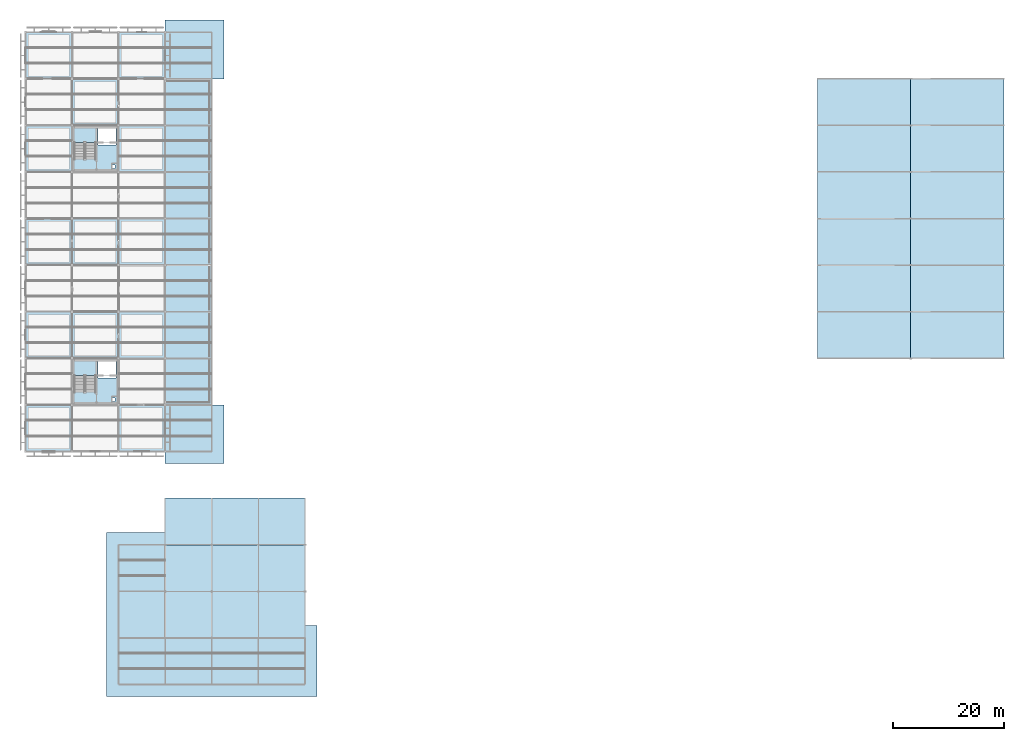
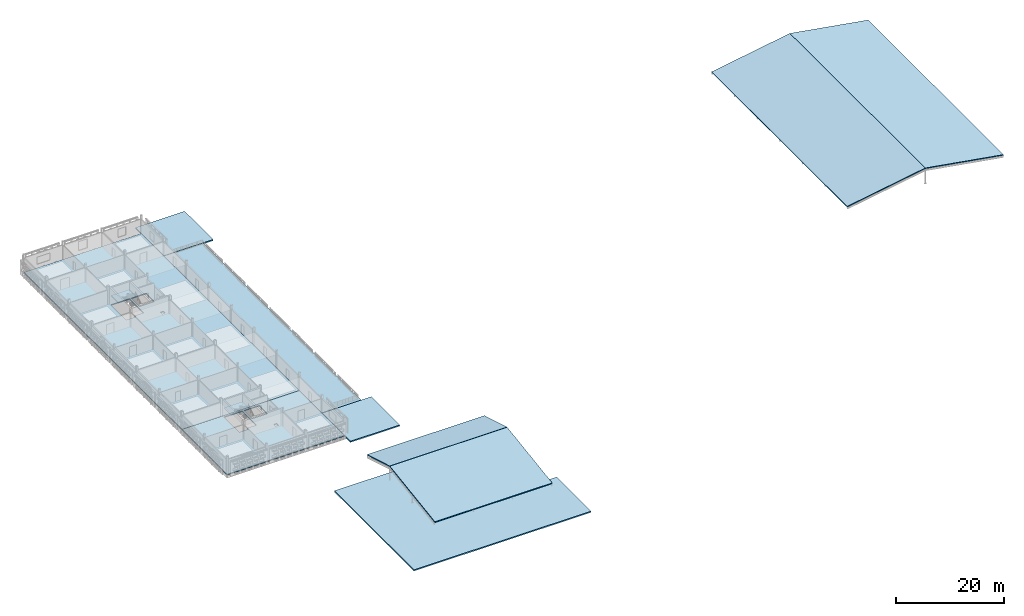
# One storey, part 15 of 31: 12 slabs, 2 elements without a shape of their own.
"""IFC4 building model written with IfcOpenShell, lengths in metres."""

from ifc_helpers import new_model, si_unit, direction, frame, origin, place, context, subcontext, project, spatial, polyline, outline, extrude, material, layer, layer_set, type_object, element, aggregate, save


model = new_model("IFC4")

# Units and contexts
model_context = context("Model", 3, precision=1e-05, world=origin(), true_north=direction((0.0, 1.0)))
body_context = subcontext(model_context, "Body", "Model", "MODEL_VIEW")
ifc_project = project(units=[si_unit("LENGTHUNIT", "METRE"), si_unit("AREAUNIT", "SQUARE_METRE"), si_unit("VOLUMEUNIT", "CUBIC_METRE"), si_unit("PLANEANGLEUNIT", "RADIAN"), si_unit("MASSUNIT", "GRAM", prefix="KILO")], contexts=[model_context])

# Site, building, storey
site_placement = place(None, origin())
site = spatial("IfcSite", under=ifc_project, at=site_placement, CompositionType="ELEMENT")
building_placement = place(site_placement, origin())
building = spatial("IfcBuilding", under=site, at=building_placement, Name="Varnapada Polytechnic", CompositionType="ELEMENT")
storey_placement = place(building_placement, frame((0.0, 0.0, 22.199951171875)))
storey = spatial("IfcBuildingStorey", under=building, at=storey_placement, Name="L05", CompositionType="ELEMENT", Elevation=22.199951171875)

# Slabs
ifc_material_1 = material(Name="Concrete C40/50", Category="concrete")
ifc_layer_1 = layer(ifc_material_1, 0.199951171875)
ifc_layer_set_1 = layer_set([ifc_layer_1], Name="Concrete C40/50")
slab_type_1 = type_object("IfcSlabType", Name="Folded Postmodern lecture pavilion gable roof slab RS-02", PredefinedType="ROOF", material=ifc_layer_set_1)
slab_1_placement = place(storey_placement, frame((25.199951171875, 16.800048828125, 0.77001953125), z_axis=(0.0, -0.145627840959, 0.989339442223), x_axis=(1.0, 0.0, 0.0)))
element("IfcSlab", 1, at=slab_1_placement, inside=storey, type_object=slab_type_1, Name="Lecture pavilion south folded gable roof slab", PredefinedType="ROOF", context=body_context, shape_type="SweptSolid", body=[
    extrude(outline(polyline([(0.0, 0.0), (25.199951171875, 0.0), (25.199951171875, 16.96084132577978), (0.0, 16.96084132577978), (0.0, 0.0)])), origin(), (0.0, 0.0, -1.0), 0.199951171875),
])
slab_2_placement = place(storey_placement, frame((50.39990234375, 42.0, 0.77001953125), z_axis=(0.0, 0.282724563106, 0.959201137101), x_axis=(-1.0, 0.0, 0.0)))
element("IfcSlab", 2, at=slab_2_placement, inside=storey, type_object=slab_type_1, Name="Lecture pavilion north folded gable roof slab", PredefinedType="ROOF", context=body_context, shape_type="SweptSolid", body=[
    extrude(outline(polyline([(0.0, 0.0), (25.199951171875, 0.0), (25.199951171875, 8.736314510451688), (0.0, 8.736314510451688), (0.0, 0.0)])), origin(), (0.0, 0.0, -1.0), 0.199951171875),
])
ifc_material_2 = material(Name="Cross-laminated timber CLT C24", Category="wood")
ifc_layer_2 = layer(ifc_material_2, 0.219970703125)
ifc_layer_set_2 = layer_set([ifc_layer_2], Name="Cross-laminated timber CLT C24")
slab_type_2 = type_object("IfcSlabType", Name="L04..L06 design studio CLT slab SL-08", PredefinedType="FLOOR", material=ifc_layer_set_2)
slab_3_placement = place(storey_placement, frame((0.0, 0.0, -0.219970703125)))
element("IfcSlab", 3, at=slab_3_placement, inside=storey, type_object=slab_type_2, Name="L05 V4 slab 1.1", PredefinedType="FLOOR", context=body_context, shape_type="SweptSolid", body=[
    extrude(outline(polyline([(0.0, 58.800048828125), (0.0, 67.199951171875), (8.39990234375, 67.199951171875), (16.800048828125, 67.199951171875), (25.199951171875, 67.199951171875), (25.199951171875, 58.800048828125), (25.199951171875, 50.39990234375), (16.800048828125, 50.39990234375), (8.39990234375, 50.39990234375), (0.0, 50.39990234375), (0.0, 58.800048828125)]), holes=[polyline([(8.800048828125, 61.110107421875), (10.75, 61.110107421875), (10.75, 61.510009765625), (12.699951171875, 61.510009765625), (12.699951171875, 66.800048828125), (8.800048828125, 66.800048828125), (8.800048828125, 61.110107421875)]), polyline([(13.10009765625, 63.699951171875), (16.300048828125, 63.699951171875), (16.300048828125, 66.75), (13.10009765625, 66.75), (13.10009765625, 63.699951171875)]), polyline([(15.550048828125, 59.419921875), (16.199951171875, 59.419921875), (16.199951171875, 60.070068359375), (15.550048828125, 60.070068359375), (15.550048828125, 59.419921875)])]), origin(), (0.0, 0.0, 1.0), 0.219970703125),
])
slab_4_placement = place(storey_placement, frame((0.0, 0.0, -0.219970703125)))
element("IfcSlab", 4, at=slab_4_placement, inside=storey, type_object=slab_type_2, Name="L05 V4 slab 2.1", PredefinedType="FLOOR", context=body_context, shape_type="SweptSolid", body=[
    extrude(outline(polyline([(0.0, 84.0), (0.0, 92.39990234375), (0.0, 100.800048828125), (0.0, 109.199951171875), (0.0, 117.60009765625), (0.0, 126.0), (8.39990234375, 126.0), (16.800048828125, 126.0), (25.199951171875, 126.0), (25.199951171875, 117.60009765625), (25.199951171875, 109.199951171875), (25.199951171875, 100.800048828125), (25.199951171875, 92.39990234375), (25.199951171875, 84.0), (25.199951171875, 75.60009765625), (25.199951171875, 67.199951171875), (16.800048828125, 67.199951171875), (8.39990234375, 67.199951171875), (0.0, 67.199951171875), (0.0, 75.60009765625), (0.0, 84.0)]), holes=[polyline([(8.800048828125, 103.110107421875), (10.75, 103.110107421875), (10.75, 103.510009765625), (12.699951171875, 103.510009765625), (12.699951171875, 108.800048828125), (8.800048828125, 108.800048828125), (8.800048828125, 103.110107421875)]), polyline([(13.10009765625, 105.699951171875), (16.300048828125, 105.699951171875), (16.300048828125, 108.75), (13.10009765625, 108.75), (13.10009765625, 105.699951171875)]), polyline([(15.550048828125, 101.419921875), (16.199951171875, 101.419921875), (16.199951171875, 102.070068359375), (15.550048828125, 102.070068359375), (15.550048828125, 101.419921875)])]), origin(), (0.0, 0.0, 1.0), 0.219970703125),
])
ifc_layer_3 = layer(ifc_material_2, 0.22998046875)
ifc_layer_set_3 = layer_set([ifc_layer_3], Name="Cross-laminated timber CLT C24")
slab_type_3 = type_object("IfcSlabType", Name="L04..L06 occupied studio roof terrace slab SL-10", PredefinedType="FLOOR", material=ifc_layer_set_3)
slab_5_placement = place(storey_placement, frame((0.0, 0.0, -0.22998046875)))
element("IfcSlab", 5, at=slab_5_placement, inside=storey, type_object=slab_type_3, Name="L05 V4_EAST_TERRACE slab 1.1", PredefinedType="FLOOR", context=body_context, shape_type="SweptSolid", body=[
    extrude(outline(polyline([(25.199951171875, 58.800048828125), (25.199951171875, 67.199951171875), (25.199951171875, 75.60009765625), (25.199951171875, 84.0), (25.199951171875, 92.39990234375), (25.199951171875, 100.800048828125), (25.199951171875, 109.199951171875), (25.199951171875, 117.60009765625), (33.60009765625, 117.60009765625), (33.60009765625, 109.199951171875), (33.60009765625, 100.800048828125), (33.60009765625, 92.39990234375), (33.60009765625, 84.0), (33.60009765625, 75.60009765625), (33.60009765625, 67.199951171875), (33.60009765625, 58.800048828125), (25.199951171875, 58.800048828125)])), origin(), (0.0, 0.0, 1.0), 0.22998046875),
])
ifc_layer_4 = layer(ifc_material_1, 0.27001953125)
ifc_layer_set_4 = layer_set([ifc_layer_4], Name="Concrete C40/50")
slab_type_4 = type_object("IfcSlabType", Name="Overhanging tropical eave roof slab RS-07", PredefinedType="ROOF", material=ifc_layer_set_4)
slab_6_placement = place(storey_placement, frame((0.0, 0.0, -0.27001953125)))
element("IfcSlab", 6, at=slab_6_placement, inside=storey, type_object=slab_type_4, Name="L05 overhanging eave roof slab 1", PredefinedType="ROOF", context=body_context, shape_type="SweptSolid", body=[
    extrude(outline(polyline([(27.39990234375, 19.0), (52.60009765625, 19.0), (52.60009765625, 6.199951171875), (14.60009765625, 6.199951171875), (14.60009765625, 35.800048828125), (27.39990234375, 35.800048828125), (27.39990234375, 19.0)])), origin(), (0.0, 0.0, 1.0), 0.27001953125),
])
slab_7_placement = place(storey_placement, frame((0.0, 0.0, -0.27001953125)))
element("IfcSlab", 7, at=slab_7_placement, inside=storey, type_object=slab_type_4, Name="L05 overhanging eave roof slab 2", PredefinedType="ROOF", context=body_context, shape_type="SweptSolid", body=[
    extrude(outline(polyline([(35.800048828125, 48.199951171875), (25.199951171875, 48.199951171875), (25.199951171875, 50.3798828125), (25.219970703125, 50.39990234375), (25.219970703125, 58.780029296875), (33.60009765625, 58.780029296875), (33.6201171875, 58.800048828125), (35.800048828125, 58.800048828125), (35.800048828125, 48.199951171875)])), origin(), (0.0, 0.0, 1.0), 0.27001953125),
])
slab_8_placement = place(storey_placement, frame((0.0, 0.0, -0.27001953125)))
element("IfcSlab", 8, at=slab_8_placement, inside=storey, type_object=slab_type_4, Name="L05 overhanging eave roof slab 3", PredefinedType="ROOF", context=body_context, shape_type="SweptSolid", body=[
    extrude(outline(polyline([(35.800048828125, 117.60009765625), (33.6201171875, 117.60009765625), (33.60009765625, 117.6201171875), (25.219970703125, 117.6201171875), (25.219970703125, 126.0), (25.199951171875, 126.02001953125), (25.199951171875, 128.199951171875), (35.800048828125, 128.199951171875), (35.800048828125, 117.60009765625)])), origin(), (0.0, 0.0, 1.0), 0.27001953125),
])
ifc_layer_5 = layer(ifc_material_2, 0.18994140625)
ifc_layer_set_5 = layer_set([ifc_layer_5], Name="Cross-laminated timber CLT C24")
slab_type_5 = type_object("IfcSlabType", Name="Pitched library wing roof slab RS-03", PredefinedType="ROOF", material=ifc_layer_set_5)
slab_9_placement = place(storey_placement, frame((142.800048828125, 67.199951171875, 0.610107421875), z_axis=(-0.1672444334, 0.0, 0.985915462652), x_axis=(0.0, 1.0, 0.0)))
element("IfcSlab", 9, at=slab_9_placement, inside=storey, type_object=slab_type_5, Name="Library wing west pitched roof slab", PredefinedType="ROOF", context=body_context, shape_type="SweptSolid", body=[
    extrude(outline(polyline([(0.0, 0.0), (50.400146484375, 0.0), (50.400146484375, -17.04005004945421), (0.0, -17.04005004945421), (0.0, 0.0)])), origin(), (0.0, 0.0, -1.0), 0.18994140625),
])
slab_10_placement = place(storey_placement, frame((176.39990234375, 117.60009765625, 0.610107421875), z_axis=(0.167246795871, 0.0, 0.985915061895), x_axis=(0.0, -1.0, 0.0)))
element("IfcSlab", 10, at=slab_10_placement, inside=storey, type_object=slab_type_5, Name="Library wing east pitched roof slab", PredefinedType="ROOF", context=body_context, shape_type="SweptSolid", body=[
    extrude(outline(polyline([(0.0, 0.0), (50.400146484375, 0.0), (50.400146484375, -17.039809347485882), (0.0, -17.039809347485882), (0.0, 0.0)])), origin(), (0.0, 0.0, -1.0), 0.18994140625),
])

# Stair, slab
stair_type = type_object("IfcStairType", Name="Core Exit Stair ST-A", PredefinedType="HALF_TURN_STAIR", material=ifc_material_1)
stair_1_placement = place(storey_placement, origin())
stair_1 = element("IfcStair", 11, at=stair_1_placement, inside=storey, type_object=stair_type, Name="L05 Core C1 Exit Stair", PredefinedType="HALF_TURN_STAIR")
ifc_layer_6 = layer(ifc_material_1, 0.199951171875)
ifc_layer_set_6 = layer_set([ifc_layer_6], Name="Concrete C40/50")
slab_type_6 = type_object("IfcSlabType", Name="Stair Half Landing SLD-01", PredefinedType="LANDING", material=ifc_layer_set_6)
slab_11_placement = place(storey_placement, frame((0.0, 0.0, 1.900146484375)))
slab_11 = element("IfcSlab", 12, at=slab_11_placement, type_object=slab_type_6, Name="ST-1 landing 1", PredefinedType="LANDING", context=body_context, shape_type="SweptSolid", body=[
    extrude(outline(polyline([(12.699951171875, 106.1298828125), (12.699951171875, 108.800048828125), (8.800048828125, 108.800048828125), (8.800048828125, 106.1298828125), (12.699951171875, 106.1298828125)])), origin(), (0.0, 0.0, 1.0), 0.199951171875),
])
aggregate(stair_1, [slab_11])

stair_2_placement = place(storey_placement, origin())
stair_2 = element("IfcStair", 13, at=stair_2_placement, inside=storey, type_object=stair_type, Name="L05 Core C2 Exit Stair", PredefinedType="HALF_TURN_STAIR")
slab_12_placement = place(storey_placement, frame((0.0, 0.0, 1.900146484375)))
slab_12 = element("IfcSlab", 14, at=slab_12_placement, type_object=slab_type_6, Name="ST-2 landing 1", PredefinedType="LANDING", context=body_context, shape_type="SweptSolid", body=[
    extrude(outline(polyline([(12.699951171875, 64.1298828125), (12.699951171875, 66.800048828125), (8.800048828125, 66.800048828125), (8.800048828125, 64.1298828125), (12.699951171875, 64.1298828125)])), origin(), (0.0, 0.0, 1.0), 0.199951171875),
])
aggregate(stair_2, [slab_12])

save(model, "model.ifc")
